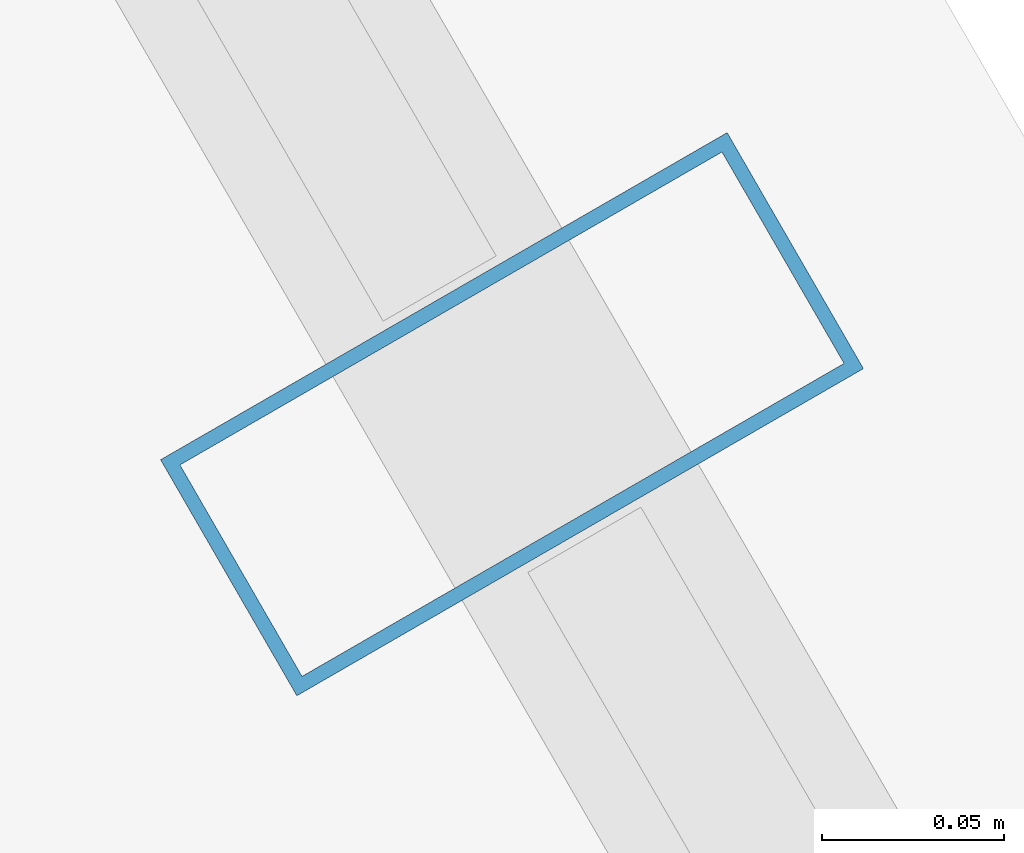
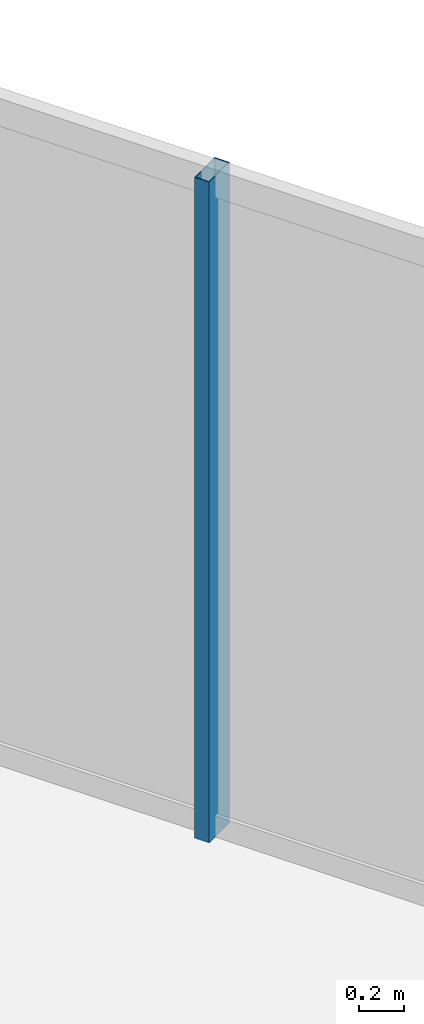
# One storey, part 17 of 32: 1 member, 1 element without a shape of its own.
"""IFC4 building model written with IfcOpenShell, lengths in metres."""

from ifc_helpers import new_model, si_unit, direction, frame, origin, origin_2d, place, context, subcontext, project, spatial, hollow_rectangle, extrude, material, layer, layer_set, material_profile, profile_set, type_object, element, aggregate, save


model = new_model("IFC4")

# Units and contexts
model_context = context("Model", 3, precision=1e-05, world=origin(), true_north=direction((0.0, 1.0)))
body_context = subcontext(model_context, "Body", "Model", "MODEL_VIEW")
ifc_project = project(units=[si_unit("LENGTHUNIT", "METRE"), si_unit("AREAUNIT", "SQUARE_METRE"), si_unit("VOLUMEUNIT", "CUBIC_METRE"), si_unit("PLANEANGLEUNIT", "RADIAN"), si_unit("MASSUNIT", "GRAM", prefix="KILO")], contexts=[model_context])

# Site, building, storey
site_placement = place(None, origin())
site = spatial("IfcSite", under=ifc_project, at=site_placement, CompositionType="ELEMENT")
building_placement = place(site_placement, origin())
building = spatial("IfcBuilding", under=site, at=building_placement, Name="Ndaravel Arena Tower", CompositionType="ELEMENT")
storey_placement = place(building_placement, frame((0.0, 0.0, 256.0)))
storey = spatial("IfcBuildingStorey", under=building, at=storey_placement, Name="L62", CompositionType="ELEMENT", Elevation=256.0)

# Curtain wall, member
ifc_material_1 = material(Name="Aluminium", Category="aluminium")
ifc_layer = layer(ifc_material_1, 0.179931640625)
ifc_layer_set = layer_set([ifc_layer], Name="Aluminium")
curtain_wall_type = type_object("IfcCurtainWallType", Name="CW-SYS-03", PredefinedType="NOTDEFINED", material=ifc_layer_set)
curtain_wall_placement = place(storey_placement, origin())
curtain_wall = element("IfcCurtainWall", 1, at=curtain_wall_placement, inside=storey, type_object=curtain_wall_type, Name="L62 Faceted Crystal Curtain Wall CW-L62-E03", PredefinedType="NOTDEFINED")
ifc_material_2 = material(Name="Aluminium", Category="aluminium")
ifc_material_profile = material_profile(ifc_material_2, hollow_rectangle(XDim=0.074951171875, YDim=0.179931640625, WallThickness=0.00390625, at=origin_2d()), Name="CW MULLION 75x180x4")
ifc_profile_set = profile_set([ifc_material_profile], Name="Aluminium")
member_type = type_object("IfcMemberType", Name="MEM-CW-MUL180", PredefinedType="MULLION", material=ifc_profile_set)
member_placement = place(storey_placement, frame((49.414306640625, 37.057373046875, 0.0), z_axis=(0.0, 0.0, 1.0), x_axis=(-0.5, 0.866025403784, 0.0)))
member = element("IfcMember", 2, at=member_placement, type_object=member_type, Name="CW-L62-E03 Mullion 07", PredefinedType="MULLION", context=body_context, shape_type="SweptSolid", body=[
    extrude(hollow_rectangle(XDim=0.074951171875, YDim=0.179931640625, WallThickness=0.00390625, at=origin_2d()), origin(), (0.0, 0.0, 1.0), 3.580078125),
])
aggregate(curtain_wall, [member])

save(model, "model.ifc")
